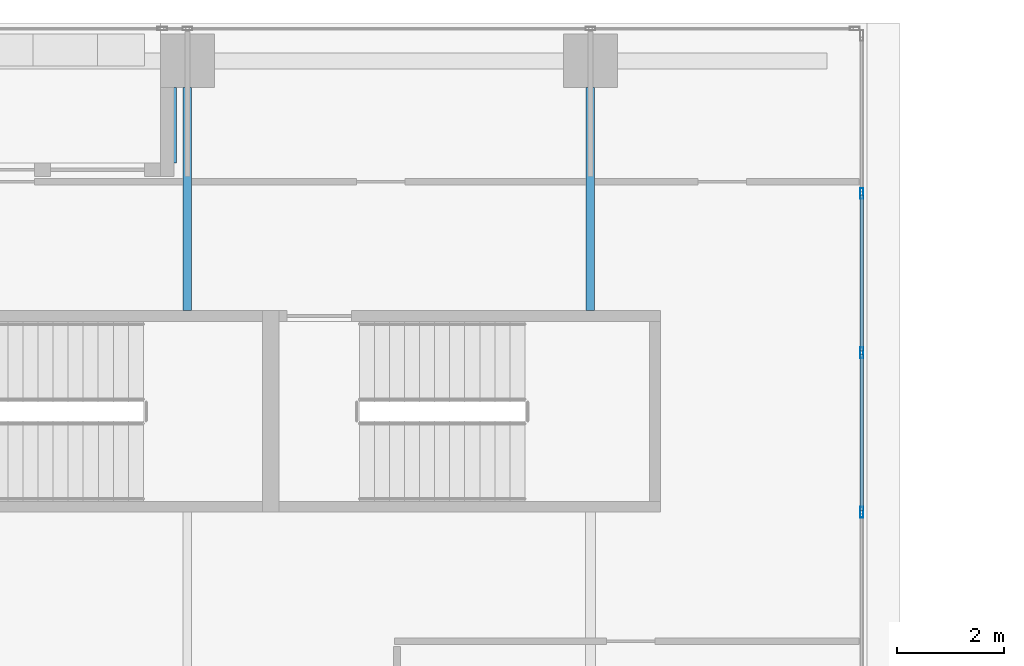
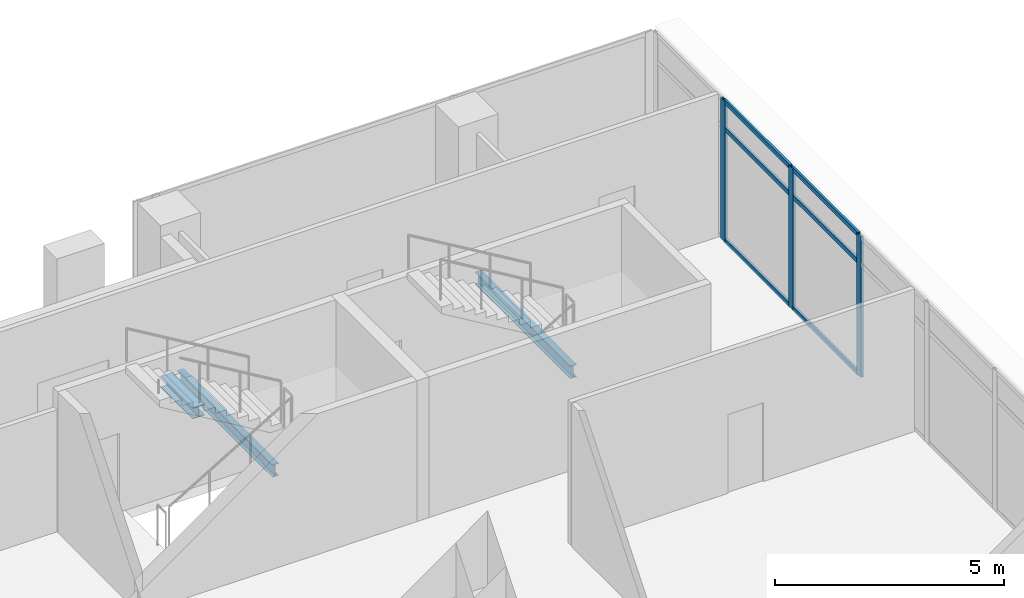
# One storey, part 22 of 38: 9 members, 3 beams, 1 element without a shape of its own.
"""IFC4 building model written with IfcOpenShell, lengths in metres."""

from ifc_helpers import new_model, si_unit, direction, frame, origin, origin_2d, place, context, subcontext, project, spatial, hollow_rectangle, i_section, extrude, source, transform, mapped, material, material_profile, profile_set, type_object, element, aggregate, save


model = new_model("IFC4")

# Units and contexts
model_context = context("Model", 3, precision=1e-05, world=origin(), true_north=direction((0.0, 1.0)))
body_context = subcontext(model_context, "Body", "Model", "MODEL_VIEW")
ifc_project = project(units=[si_unit("LENGTHUNIT", "METRE"), si_unit("AREAUNIT", "SQUARE_METRE"), si_unit("VOLUMEUNIT", "CUBIC_METRE"), si_unit("PLANEANGLEUNIT", "RADIAN"), si_unit("MASSUNIT", "GRAM", prefix="KILO")], contexts=[model_context])

# Site, building, storey
site_placement = place(None, origin())
site = spatial("IfcSite", under=ifc_project, at=site_placement, CompositionType="ELEMENT")
building_placement = place(site_placement, origin())
building = spatial("IfcBuilding", under=site, at=building_placement, Name="Khomas Fold Tower", CompositionType="ELEMENT")
storey_placement = place(building_placement, frame((0.0, 0.0, 172.699951171875)))
storey = spatial("IfcBuildingStorey", under=building, at=storey_placement, Name="L37", CompositionType="ELEMENT", Elevation=172.699951171875)

# Beams
ifc_material_1 = material(Name="Steel S355", Category="steel")
ifc_material_profile_1 = material_profile(ifc_material_1, i_section(OverallWidth=0.159912109375, OverallDepth=0.330078125, WebThickness=0.007568359375, FlangeThickness=0.011474609375, at=origin_2d()), Name="IPE 330")
ifc_profile_set_1 = profile_set([ifc_material_profile_1], Name="Steel S355")
beam_type_1 = type_object("IfcBeamType", Name="IPE 330 beam JB1", PredefinedType="BEAM", material=ifc_profile_set_1)
shared_shape_1 = source(origin(), body_context, "Body", "SweptSolid", [
    extrude(i_section(OverallWidth=0.159912109375, OverallDepth=0.330078125, WebThickness=0.007568359375, FlangeThickness=0.011474609375, at=origin_2d()), origin(), (0.0, 0.0, 1.0), 4.150146484375),
])
for number, where, z_axis, x_axis, name in (
    (1, (19.5, 45.64990234375, -0.4150390625), (0.0, 1.0, 0.0), (-1.0, 0.0, 0.0), "JB1"),
    (2, (27.0, 45.64990234375, -0.4150390625), (0.0, 1.0, 0.0), (-1.0, 0.0, 0.0), "JB1"),
):
    element("IfcBeam", number, at=place(storey_placement, frame(where, z_axis=z_axis, x_axis=x_axis)), inside=storey, type_object=beam_type_1, Name=name, PredefinedType="BEAM", context=body_context, shape_type="MappedRepresentation", body=[
        mapped(shared_shape_1, transform((0.0, 0.0, 0.0))),
    ])
ifc_material_2 = material(Name="Steel S355", Category="steel")
ifc_material_profile_2 = material_profile(ifc_material_2, i_section(OverallWidth=0.300048828125, OverallDepth=0.300048828125, WebThickness=0.010986328125, FlangeThickness=0.01904296875, at=origin_2d()), Name="HE 300 B")
ifc_profile_set_2 = profile_set([ifc_material_profile_2], Name="Steel S355")
beam_type_2 = type_object("IfcBeamType", Name="HE 300 B beam BB1", PredefinedType="BEAM", material=ifc_profile_set_2)
shared_shape_2 = source(origin(), body_context, "Body", "SweptSolid", [
    extrude(i_section(OverallWidth=0.300048828125, OverallDepth=0.300048828125, WebThickness=0.010986328125, FlangeThickness=0.01904296875, at=origin_2d()), origin(), (0.0, 0.0, 1.0), 1.400146484375),
])
beam_placement = place(storey_placement, frame((19.14990234375, 48.39990234375, -0.39990234375), z_axis=(0.0, 1.0, 0.0), x_axis=(-1.0, 0.0, 0.0)))
element("IfcBeam", 3, at=beam_placement, inside=storey, type_object=beam_type_2, Name="BB1", PredefinedType="BEAM", context=body_context, shape_type="MappedRepresentation", body=[
    mapped(shared_shape_2, transform((0.0, 0.0, 0.0))),
])

# Curtain wall, members
ifc_material_3 = material(Name="Aluminium framed double glazing", Category="aluminium")
curtain_wall_type = type_object("IfcCurtainWallType", Name="Notch glazing GN-CW", PredefinedType="NOTDEFINED", material=ifc_material_3)
curtain_wall_placement = place(storey_placement, origin())
curtain_wall = element("IfcCurtainWall", 4, at=curtain_wall_placement, inside=storey, type_object=curtain_wall_type, Name="Notch glazing run", PredefinedType="NOTDEFINED")
ifc_material_4 = material(Name="Aluminium", Category="aluminium")
ifc_material_profile_3 = material_profile(ifc_material_4, hollow_rectangle(XDim=0.06005859375, YDim=0.1201171875, WallThickness=0.00390625, at=origin_2d()), Name="Notch glazing transom GN-CW-T")
ifc_profile_set_3 = profile_set([ifc_material_profile_3], Name="Aluminium")
member_type_1 = type_object("IfcMemberType", Name="Notch glazing transom GN-CW-T", PredefinedType="USERDEFINED", material=ifc_profile_set_3)
shared_shape_3 = source(origin(), body_context, "Body", "SweptSolid", [
    extrude(hollow_rectangle(XDim=0.06005859375, YDim=0.1201171875, WallThickness=0.00390625, at=origin_2d()), origin(), (0.0, 0.0, 1.0), 2.90673828125),
])
member_1_placement = place(storey_placement, frame((32.050048828125, 41.929931640625, 0.030029296875), z_axis=(0.0, 1.0, 0.0), x_axis=(-1.0, 0.0, 0.0)))
member_1 = element("IfcMember", 5, at=member_1_placement, type_object=member_type_1, Name="GN-CW transom 4.1", ObjectType="TRANSOM", PredefinedType="USERDEFINED", context=body_context, shape_type="MappedRepresentation", body=[
    mapped(shared_shape_3, transform((0.0, 0.0, 0.0))),
])
member_2_placement = place(storey_placement, frame((32.050048828125, 41.929931640625, 3.0), z_axis=(0.0, 1.0, 0.0), x_axis=(-1.0, 0.0, 0.0)))
member_2 = element("IfcMember", 6, at=member_2_placement, type_object=member_type_1, Name="GN-CW transom 4.2", ObjectType="TRANSOM", PredefinedType="USERDEFINED", context=body_context, shape_type="MappedRepresentation", body=[
    mapped(shared_shape_3, transform((0.0, 0.0, 0.0))),
])
member_3_placement = place(storey_placement, frame((32.050048828125, 41.929931640625, 3.719970703125), z_axis=(0.0, 1.0, 0.0), x_axis=(-1.0, 0.0, 0.0)))
member_3 = element("IfcMember", 7, at=member_3_placement, type_object=member_type_1, Name="GN-CW transom 4.3", ObjectType="TRANSOM", PredefinedType="USERDEFINED", context=body_context, shape_type="MappedRepresentation", body=[
    mapped(shared_shape_3, transform((0.0, 0.0, 0.0))),
])
shared_shape_4 = source(origin(), body_context, "Body", "SweptSolid", [
    extrude(hollow_rectangle(XDim=0.06005859375, YDim=0.1201171875, WallThickness=0.00390625, at=origin_2d()), origin(), (0.0, 0.0, 1.0), 2.906494140625),
])
member_4_placement = place(storey_placement, frame((32.050048828125, 44.896728515625, 0.030029296875), z_axis=(0.0, 1.0, 0.0), x_axis=(-1.0, 0.0, 0.0)))
member_4 = element("IfcMember", 8, at=member_4_placement, type_object=member_type_1, Name="GN-CW transom 5.1", ObjectType="TRANSOM", PredefinedType="USERDEFINED", context=body_context, shape_type="MappedRepresentation", body=[
    mapped(shared_shape_4, transform((0.0, 0.0, 0.0))),
])
member_5_placement = place(storey_placement, frame((32.050048828125, 44.896728515625, 3.0), z_axis=(0.0, 1.0, 0.0), x_axis=(-1.0, 0.0, 0.0)))
member_5 = element("IfcMember", 9, at=member_5_placement, type_object=member_type_1, Name="GN-CW transom 5.2", ObjectType="TRANSOM", PredefinedType="USERDEFINED", context=body_context, shape_type="MappedRepresentation", body=[
    mapped(shared_shape_4, transform((0.0, 0.0, 0.0))),
])
member_6_placement = place(storey_placement, frame((32.050048828125, 44.896728515625, 3.719970703125), z_axis=(0.0, 1.0, 0.0), x_axis=(-1.0, 0.0, 0.0)))
member_6 = element("IfcMember", 10, at=member_6_placement, type_object=member_type_1, Name="GN-CW transom 5.3", ObjectType="TRANSOM", PredefinedType="USERDEFINED", context=body_context, shape_type="MappedRepresentation", body=[
    mapped(shared_shape_4, transform((0.0, 0.0, 0.0))),
])
ifc_material_5 = material(Name="Aluminium", Category="aluminium")
ifc_material_profile_4 = material_profile(ifc_material_5, hollow_rectangle(XDim=0.06005859375, YDim=0.199951171875, WallThickness=0.00390625, at=origin_2d()), Name="Notch glazing mullion GN-CW-M")
ifc_profile_set_4 = profile_set([ifc_material_profile_4], Name="Aluminium")
member_type_2 = type_object("IfcMemberType", Name="Notch glazing mullion GN-CW-M", PredefinedType="MULLION", material=ifc_profile_set_4)
shared_shape_5 = source(origin(), body_context, "Body", "SweptSolid", [
    extrude(hollow_rectangle(XDim=0.06005859375, YDim=0.199951171875, WallThickness=0.00390625, at=origin_2d()), origin(), (0.0, 0.0, 1.0), 3.75),
])
member_7_placement = place(storey_placement, frame((32.050048828125, 41.89990234375, 0.0), z_axis=(0.0, 0.0, 1.0), x_axis=(-1.0, 0.0, 0.0)))
member_7 = element("IfcMember", 11, at=member_7_placement, type_object=member_type_2, Name="GN-CW mullion 4", PredefinedType="MULLION", context=body_context, shape_type="MappedRepresentation", body=[
    mapped(shared_shape_5, transform((0.0, 0.0, 0.0))),
])
member_8_placement = place(storey_placement, frame((32.050048828125, 44.86669921875, 0.0), z_axis=(0.0, 0.0, 1.0), x_axis=(-1.0, 0.0, 0.0)))
member_8 = element("IfcMember", 12, at=member_8_placement, type_object=member_type_2, Name="GN-CW mullion 5", PredefinedType="MULLION", context=body_context, shape_type="MappedRepresentation", body=[
    mapped(shared_shape_5, transform((0.0, 0.0, 0.0))),
])
member_9_placement = place(storey_placement, frame((32.050048828125, 47.833251953125, 0.0), z_axis=(0.0, 0.0, 1.0), x_axis=(-1.0, 0.0, 0.0)))
member_9 = element("IfcMember", 13, at=member_9_placement, type_object=member_type_2, Name="GN-CW mullion 6", PredefinedType="MULLION", context=body_context, shape_type="MappedRepresentation", body=[
    mapped(shared_shape_5, transform((0.0, 0.0, 0.0))),
])
aggregate(curtain_wall, [member_7, member_8, member_9, member_1, member_2, member_3, member_4, member_5, member_6])

save(model, "model.ifc")
